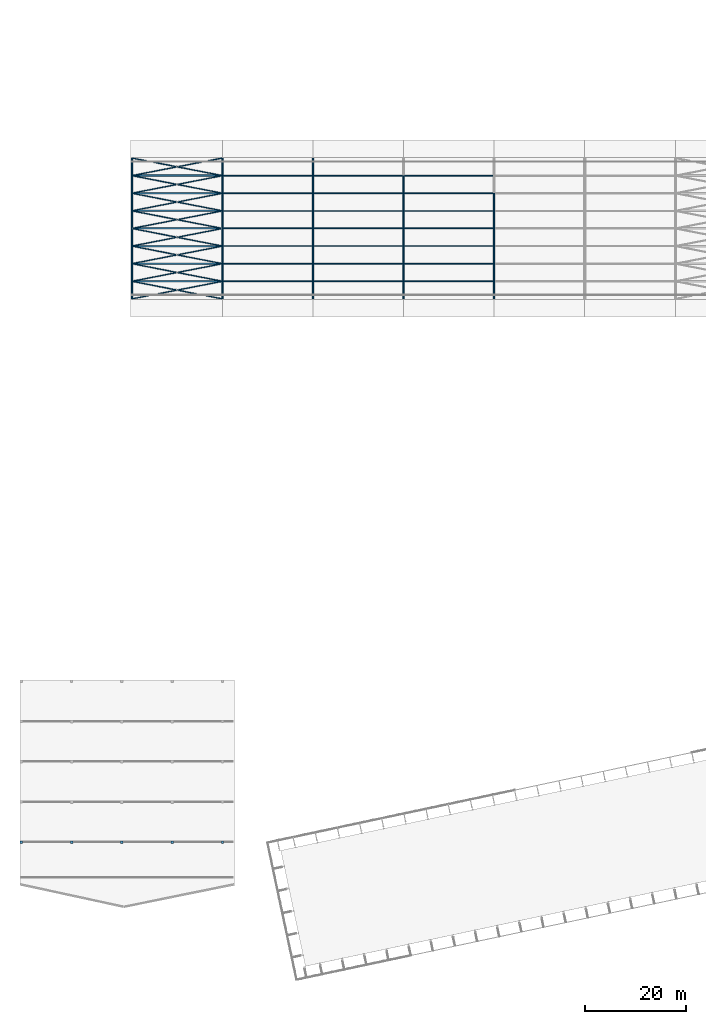
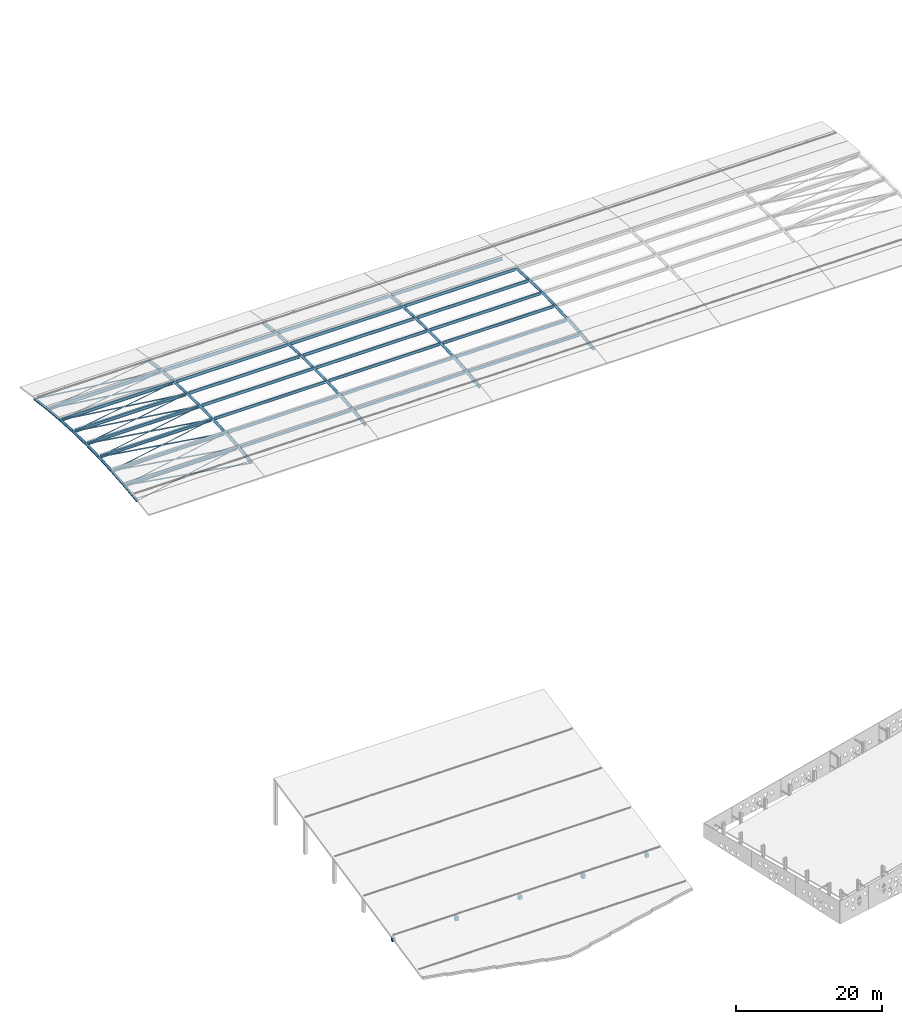
# One storey, part 9 of 41: 89 members, 5 columns.
"""IFC4 building model written with IfcOpenShell, lengths in metres."""

from ifc_helpers import new_model, si_unit, direction, frame, origin, origin_2d, place, context, subcontext, project, spatial, rectangle, hollow_circle, i_section, extrude, material, material_profile, profile_set, type_object, element, save


model = new_model("IFC4")

# Units and contexts
model_context = context("Model", 3, precision=1e-05, world=origin(), true_north=direction((0.0, 1.0)))
body_context = subcontext(model_context, "Body", "Model", "MODEL_VIEW")
ifc_project = project(units=[si_unit("LENGTHUNIT", "METRE"), si_unit("AREAUNIT", "SQUARE_METRE"), si_unit("VOLUMEUNIT", "CUBIC_METRE"), si_unit("PLANEANGLEUNIT", "RADIAN"), si_unit("MASSUNIT", "GRAM", prefix="KILO")], contexts=[model_context])

# Site, building, storey
site_placement = place(None, origin())
site = spatial("IfcSite", under=ifc_project, at=site_placement, CompositionType="ELEMENT")
building_placement = place(site_placement, origin())
building = spatial("IfcBuilding", under=site, at=building_placement, Name="Okhra Congress Centre", CompositionType="ELEMENT")
storey_placement = place(building_placement, frame((0.0, 0.0, 21.60009765625)))
storey = spatial("IfcBuildingStorey", under=building, at=storey_placement, Name="ROOF", CompositionType="ELEMENT", Elevation=21.60009765625)

# Columns
ifc_material_1 = material(Name="Concrete C35/45", Category="concrete")
ifc_material_profile_1 = material_profile(ifc_material_1, rectangle(XDim=0.449951171875, YDim=0.449951171875, at=origin_2d()), Name="RC 450x450")
ifc_profile_set_1 = profile_set([ifc_material_profile_1], Name="Concrete C35/45")
column_type_1 = type_object("IfcColumnType", Name="RC column 450x450 C35/45", PredefinedType="COLUMN", material=ifc_profile_set_1)
for number, where, z_axis, x_axis, name in (
    (1, (6.0, 52.0, 0.0), (0.0, 0.0, 1.0), (1.0, 0.0, 0.0), "RS.COL.ROOF.2"),
    (2, (46.0, 52.0, 0.0), (0.0, 0.0, 1.0), (1.0, 0.0, 0.0), "RS.COL.ROOF.26"),
):
    element("IfcColumn", number, at=place(storey_placement, frame(where, z_axis=z_axis, x_axis=x_axis)), inside=storey, type_object=column_type_1, Name=name, PredefinedType="COLUMN", context=body_context, shape_type="SweptSolid", body=[
        extrude(rectangle(XDim=0.449951171875, YDim=0.449951171875, at=origin_2d()), origin(), (0.0, 0.0, 1.0), 0.591552734375),
    ])
ifc_material_profile_2 = material_profile(ifc_material_1, rectangle(XDim=0.5, YDim=0.5, at=origin_2d()), Name="RC 500x500")
ifc_profile_set_2 = profile_set([ifc_material_profile_2], Name="Concrete C35/45")
column_type_2 = type_object("IfcColumnType", Name="RC column 500x500 C35/45", PredefinedType="COLUMN", material=ifc_profile_set_2)
for number, where, z_axis, x_axis, name in (
    (3, (16.0, 52.0, 0.0), (0.0, 0.0, 1.0), (1.0, 0.0, 0.0), "RS.COL.ROOF.8"),
    (4, (26.0, 52.0, 0.0), (0.0, 0.0, 1.0), (1.0, 0.0, 0.0), "RS.COL.ROOF.14"),
    (5, (36.0, 52.0, 0.0), (0.0, 0.0, 1.0), (1.0, 0.0, 0.0), "RS.COL.ROOF.20"),
):
    element("IfcColumn", number, at=place(storey_placement, frame(where, z_axis=z_axis, x_axis=x_axis)), inside=storey, type_object=column_type_2, Name=name, PredefinedType="COLUMN", context=body_context, shape_type="SweptSolid", body=[
        extrude(rectangle(XDim=0.5, YDim=0.5, at=origin_2d()), origin(), (0.0, 0.0, 1.0), 0.591552734375),
    ])

# Members
ifc_material_2 = material(Name="Steel S355J2H", Category="steel")
ifc_material_profile_3 = material_profile(ifc_material_2, hollow_circle(Radius=0.06982421875, WallThickness=0.00634765625, at=origin_2d()), Name="CHS 139.7x6.3")
ifc_profile_set_3 = profile_set([ifc_material_profile_3], Name="Steel S355J2H")
member_type_1 = type_object("IfcMemberType", Name="CHS 139.7x6.3", PredefinedType="BRACE", material=ifc_profile_set_3)
member_1_placement = place(storey_placement, frame((28.185546875, 160.0361328125, 0.204833984375), z_axis=(0.981335997403, 0.190809292648, 0.023905523203), x_axis=(-0.190863837306, 0.981616521667, 0.0)))
element("IfcMember", 6, at=member_1_placement, inside=storey, type_object=member_type_1, Name="EH.MEM.ROOF.XB1-09-1", PredefinedType="BRACE", context=body_context, shape_type="SweptSolid", body=[
    extrude(hollow_circle(Radius=0.06982421875, WallThickness=0.00634765625, at=origin_2d()), origin(), (0.0, 0.0, 1.0), 17.964111328125),
])
for number, where, z_axis, x_axis, name in (
    (7, (45.814453125, 160.0361328125, 0.204833984375), (-0.981337831942, 0.190800302671, 0.02390196853), (-0.190854828533, -0.981618273274, 0.0), "EH.MEM.ROOF.XB1-09-2a"),
    (8, (36.8359375, 161.781982421875, 0.423583984375), (-0.981337831942, 0.190800302671, 0.02390196853), (-0.190854828533, -0.981618273274, 0.0), "EH.MEM.ROOF.XB1-09-2b"),
):
    element("IfcMember", number, at=place(storey_placement, frame(where, z_axis=z_axis, x_axis=x_axis)), inside=storey, type_object=member_type_1, Name=name, PredefinedType="BRACE", context=body_context, shape_type="SweptSolid", body=[
        extrude(hollow_circle(Radius=0.06982421875, WallThickness=0.00634765625, at=origin_2d()), origin(), (0.0, 0.0, 1.0), 8.81494140625),
    ])
member_2_placement = place(storey_placement, frame((28.185546875, 163.5361328125, 0.64208984375), z_axis=(0.981474374154, 0.190836198387, 0.017017586922), x_axis=(-0.190863837306, 0.981616521667, 0.0)))
element("IfcMember", 9, at=member_2_placement, inside=storey, type_object=member_type_1, Name="EH.MEM.ROOF.XB1-10-1", PredefinedType="BRACE", context=body_context, shape_type="SweptSolid", body=[
    extrude(hollow_circle(Radius=0.06982421875, WallThickness=0.00634765625, at=origin_2d()), origin(), (0.0, 0.0, 1.0), 17.961669921875),
])
for number, where, z_axis, x_axis, name in (
    (10, (45.814453125, 163.5361328125, 0.64208984375), (-0.981474252507, 0.190837598801, 0.017008896163), (-0.190865209694, -0.981616254821, 0.0), "EH.MEM.ROOF.XB1-10-2a"),
    (11, (36.83544921875, 165.281982421875, 0.7978515625), (-0.981474252507, 0.190837598801, 0.017008896163), (-0.190865209694, -0.981616254821, 0.0), "EH.MEM.ROOF.XB1-10-2b"),
):
    element("IfcMember", number, at=place(storey_placement, frame(where, z_axis=z_axis, x_axis=x_axis)), inside=storey, type_object=member_type_1, Name=name, PredefinedType="BRACE", context=body_context, shape_type="SweptSolid", body=[
        extrude(hollow_circle(Radius=0.06982421875, WallThickness=0.00634765625, at=origin_2d()), origin(), (0.0, 0.0, 1.0), 8.813232421875),
    ])
member_3_placement = place(storey_placement, frame((28.185546875, 167.0361328125, 0.952880859375), z_axis=(0.981565640763, 0.19085394411, 0.010181595736), x_axis=(-0.190863837306, 0.981616521667, 0.0)))
element("IfcMember", 12, at=member_3_placement, inside=storey, type_object=member_type_1, Name="EH.MEM.ROOF.XB1-11-1", PredefinedType="BRACE", context=body_context, shape_type="SweptSolid", body=[
    extrude(hollow_circle(Radius=0.06982421875, WallThickness=0.00634765625, at=origin_2d()), origin(), (0.0, 0.0, 1.0), 17.9599609375),
])
for number, where, z_axis, x_axis, name in (
    (13, (45.814453125, 167.0361328125, 0.952880859375), (-0.981563213618, 0.190865670617, 0.010195756538), (-0.190875591963, -0.981614236038, 0.0), "EH.MEM.ROOF.XB1-11-2a"),
    (14, (36.8349609375, 168.781982421875, 1.046142578125), (-0.981563490516, 0.19086572446, 0.010168053546), (-0.190875591963, -0.981614236038, 0.0), "EH.MEM.ROOF.XB1-11-2b"),
):
    element("IfcMember", number, at=place(storey_placement, frame(where, z_axis=z_axis, x_axis=x_axis)), inside=storey, type_object=member_type_1, Name=name, PredefinedType="BRACE", context=body_context, shape_type="SweptSolid", body=[
        extrude(hollow_circle(Radius=0.06982421875, WallThickness=0.00634765625, at=origin_2d()), origin(), (0.0, 0.0, 1.0), 8.811767578125),
    ])
member_4_placement = place(storey_placement, frame((28.185546875, 170.5361328125, 1.138427734375), z_axis=(0.981610897995, 0.190862743849, 0.003384958919), x_axis=(-0.190863837306, 0.981616521667, 0.0)))
element("IfcMember", 15, at=member_4_placement, inside=storey, type_object=member_type_1, Name="EH.MEM.ROOF.XB1-12-1", PredefinedType="BRACE", context=body_context, shape_type="SweptSolid", body=[
    extrude(hollow_circle(Radius=0.06982421875, WallThickness=0.00634765625, at=origin_2d()), origin(), (0.0, 0.0, 1.0), 17.959228515625),
])
for number, where, z_axis, x_axis, name in (
    (16, (45.814453125, 170.5361328125, 1.138427734375), (-0.981612809395, 0.190852994358, 0.003380381143), (-0.190854084803, -0.981618417876, 0.0), "EH.MEM.ROOF.XB1-12-2a"),
    (17, (36.834716796875, 172.2822265625, 1.16943359375), (-0.981612809395, 0.190852994358, 0.003380381143), (-0.190854084803, -0.981618417876, 0.0), "EH.MEM.ROOF.XB1-12-2b"),
):
    element("IfcMember", number, at=place(storey_placement, frame(where, z_axis=z_axis, x_axis=x_axis)), inside=storey, type_object=member_type_1, Name=name, PredefinedType="BRACE", context=body_context, shape_type="SweptSolid", body=[
        extrude(hollow_circle(Radius=0.06982421875, WallThickness=0.00634765625, at=origin_2d()), origin(), (0.0, 0.0, 1.0), 8.811279296875),
    ])
member_5_placement = place(storey_placement, frame((28.185546875, 174.0361328125, 1.19921875), z_axis=(0.981610897995, 0.190862743849, -0.003384958919), x_axis=(-0.190863837306, 0.981616521667, 0.0)))
element("IfcMember", 18, at=member_5_placement, inside=storey, type_object=member_type_1, Name="EH.MEM.ROOF.XB1-13-1", PredefinedType="BRACE", context=body_context, shape_type="SweptSolid", body=[
    extrude(hollow_circle(Radius=0.06982421875, WallThickness=0.00634765625, at=origin_2d()), origin(), (0.0, 0.0, 1.0), 17.959228515625),
])
for number, where, z_axis, x_axis, name in (
    (19, (45.814453125, 174.0361328125, 1.19921875), (-0.981612809395, 0.190852994358, -0.003380381143), (-0.190854084803, -0.981618417876, 0.0), "EH.MEM.ROOF.XB1-13-2a"),
    (20, (36.834716796875, 175.7822265625, 1.168212890625), (-0.981612809395, 0.190852994358, -0.003380381143), (-0.190854084803, -0.981618417876, 0.0), "EH.MEM.ROOF.XB1-13-2b"),
):
    element("IfcMember", number, at=place(storey_placement, frame(where, z_axis=z_axis, x_axis=x_axis)), inside=storey, type_object=member_type_1, Name=name, PredefinedType="BRACE", context=body_context, shape_type="SweptSolid", body=[
        extrude(hollow_circle(Radius=0.06982421875, WallThickness=0.00634765625, at=origin_2d()), origin(), (0.0, 0.0, 1.0), 8.811279296875),
    ])
member_6_placement = place(storey_placement, frame((28.185546875, 177.5361328125, 1.1357421875), z_axis=(0.981565640763, 0.19085394411, -0.010181595736), x_axis=(-0.190863837306, 0.981616521667, 0.0)))
element("IfcMember", 21, at=member_6_placement, inside=storey, type_object=member_type_1, Name="EH.MEM.ROOF.XB1-14-1", PredefinedType="BRACE", context=body_context, shape_type="SweptSolid", body=[
    extrude(hollow_circle(Radius=0.06982421875, WallThickness=0.00634765625, at=origin_2d()), origin(), (0.0, 0.0, 1.0), 17.9599609375),
])
for number, where, z_axis, x_axis, name in (
    (22, (45.814453125, 177.5361328125, 1.1357421875), (-0.981563490516, 0.19086572446, -0.010168053546), (-0.190875591963, -0.981614236038, 0.0), "EH.MEM.ROOF.XB1-14-2a"),
    (23, (36.8349609375, 179.281982421875, 1.042724609375), (-0.981563213618, 0.190865670617, -0.010195756538), (-0.190875591963, -0.981614236038, 0.0), "EH.MEM.ROOF.XB1-14-2b"),
):
    element("IfcMember", number, at=place(storey_placement, frame(where, z_axis=z_axis, x_axis=x_axis)), inside=storey, type_object=member_type_1, Name=name, PredefinedType="BRACE", context=body_context, shape_type="SweptSolid", body=[
        extrude(hollow_circle(Radius=0.06982421875, WallThickness=0.00634765625, at=origin_2d()), origin(), (0.0, 0.0, 1.0), 8.811767578125),
    ])
member_7_placement = place(storey_placement, frame((28.185546875, 181.0361328125, 0.94775390625), z_axis=(0.981474374154, 0.190836198387, -0.017017586922), x_axis=(-0.190863837306, 0.981616521667, 0.0)))
element("IfcMember", 24, at=member_7_placement, inside=storey, type_object=member_type_1, Name="EH.MEM.ROOF.XB1-15-1", PredefinedType="BRACE", context=body_context, shape_type="SweptSolid", body=[
    extrude(hollow_circle(Radius=0.06982421875, WallThickness=0.00634765625, at=origin_2d()), origin(), (0.0, 0.0, 1.0), 17.961669921875),
])
for number, where, z_axis, x_axis, name in (
    (25, (45.814453125, 181.0361328125, 0.94775390625), (-0.981474252507, 0.190837598801, -0.017008896163), (-0.190865209694, -0.981616254821, 0.0), "EH.MEM.ROOF.XB1-15-2a"),
    (26, (36.83544921875, 182.781982421875, 0.7919921875), (-0.981474252507, 0.190837598801, -0.017008896163), (-0.190865209694, -0.981616254821, 0.0), "EH.MEM.ROOF.XB1-15-2b"),
):
    element("IfcMember", number, at=place(storey_placement, frame(where, z_axis=z_axis, x_axis=x_axis)), inside=storey, type_object=member_type_1, Name=name, PredefinedType="BRACE", context=body_context, shape_type="SweptSolid", body=[
        extrude(hollow_circle(Radius=0.06982421875, WallThickness=0.00634765625, at=origin_2d()), origin(), (0.0, 0.0, 1.0), 8.813232421875),
    ])
member_8_placement = place(storey_placement, frame((28.185546875, 184.5361328125, 0.63427734375), z_axis=(0.981335997403, 0.190809292648, -0.023905523203), x_axis=(-0.190863837306, 0.981616521667, 0.0)))
element("IfcMember", 27, at=member_8_placement, inside=storey, type_object=member_type_1, Name="EH.MEM.ROOF.XB1-16-1", PredefinedType="BRACE", context=body_context, shape_type="SweptSolid", body=[
    extrude(hollow_circle(Radius=0.06982421875, WallThickness=0.00634765625, at=origin_2d()), origin(), (0.0, 0.0, 1.0), 17.964111328125),
])
for number, where, z_axis, x_axis, name in (
    (28, (45.814453125, 184.5361328125, 0.63427734375), (-0.981337831942, 0.190800302671, -0.02390196853), (-0.190854828533, -0.981618273274, 0.0), "EH.MEM.ROOF.XB1-16-2a"),
    (29, (36.8359375, 186.281982421875, 0.41552734375), (-0.981337831942, 0.190800302671, -0.02390196853), (-0.190854828533, -0.981618273274, 0.0), "EH.MEM.ROOF.XB1-16-2b"),
):
    element("IfcMember", number, at=place(storey_placement, frame(where, z_axis=z_axis, x_axis=x_axis)), inside=storey, type_object=member_type_1, Name=name, PredefinedType="BRACE", context=body_context, shape_type="SweptSolid", body=[
        extrude(hollow_circle(Radius=0.06982421875, WallThickness=0.00634765625, at=origin_2d()), origin(), (0.0, 0.0, 1.0), 8.81494140625),
    ])
ifc_material_profile_4 = material_profile(ifc_material_2, hollow_circle(Radius=0.203125, WallThickness=0.02001953125, at=origin_2d()), Name="CHS 406.4x20.0")
ifc_profile_set_4 = profile_set([ifc_material_profile_4], Name="Steel S355J2H")
member_type_2 = type_object("IfcMemberType", Name="CHS 406.4x20.0", PredefinedType="CHORD", material=ifc_profile_set_4)
member_9_placement = place(storey_placement, frame((28.0, 160.0, 0.2001953125), z_axis=(0.0, 0.992235225695, 0.124375467395), x_axis=(-1.0, 0.0, 0.0)))
element("IfcMember", 30, at=member_9_placement, inside=storey, type_object=member_type_2, Name="EH.MEM.ROOF.T1-TOP-09", PredefinedType="CHORD", context=body_context, shape_type="SweptSolid", body=[
    extrude(hollow_circle(Radius=0.203125, WallThickness=0.02001953125, at=origin_2d()), origin(), (0.0, 0.0, 1.0), 3.52734375),
])
member_10_placement = place(storey_placement, frame((28.0, 163.5, 0.638916015625), z_axis=(0.0, 0.996050004601, 0.088794078256), x_axis=(-1.0, 0.0, 0.0)))
element("IfcMember", 31, at=member_10_placement, inside=storey, type_object=member_type_2, Name="EH.MEM.ROOF.T1-TOP-10", PredefinedType="CHORD", context=body_context, shape_type="SweptSolid", body=[
    extrude(hollow_circle(Radius=0.203125, WallThickness=0.02001953125, at=origin_2d()), origin(), (0.0, 0.0, 1.0), 3.513916015625),
])
member_11_placement = place(storey_placement, frame((28.0, 167.0, 0.950927734375), z_axis=(0.0, 0.998579273107, 0.053286352115), x_axis=(-1.0, 0.0, 0.0)))
element("IfcMember", 32, at=member_11_placement, inside=storey, type_object=member_type_2, Name="EH.MEM.ROOF.T1-TOP-11", PredefinedType="CHORD", context=body_context, shape_type="SweptSolid", body=[
    extrude(hollow_circle(Radius=0.203125, WallThickness=0.02001953125, at=origin_2d()), origin(), (0.0, 0.0, 1.0), 3.5048828125),
])
for number, where, z_axis, x_axis, name in (
    (33, (28.0, 170.5, 1.1376953125), (0.0, 0.999841841936, 0.017784575174), (-1.0, 0.0, 0.0), "EH.MEM.ROOF.T1-TOP-12"),
    (34, (28.0, 174.0, 1.199951171875), (0.0, 0.999841841936, -0.017784575174), (-1.0, 0.0, 0.0), "EH.MEM.ROOF.T1-TOP-13"),
):
    element("IfcMember", number, at=place(storey_placement, frame(where, z_axis=z_axis, x_axis=x_axis)), inside=storey, type_object=member_type_2, Name=name, PredefinedType="CHORD", context=body_context, shape_type="SweptSolid", body=[
        extrude(hollow_circle(Radius=0.203125, WallThickness=0.02001953125, at=origin_2d()), origin(), (0.0, 0.0, 1.0), 3.50048828125),
    ])
member_12_placement = place(storey_placement, frame((28.0, 177.5, 1.1376953125), z_axis=(0.0, 0.998579273107, -0.053286352115), x_axis=(-1.0, 0.0, 0.0)))
element("IfcMember", 35, at=member_12_placement, inside=storey, type_object=member_type_2, Name="EH.MEM.ROOF.T1-TOP-14", PredefinedType="CHORD", context=body_context, shape_type="SweptSolid", body=[
    extrude(hollow_circle(Radius=0.203125, WallThickness=0.02001953125, at=origin_2d()), origin(), (0.0, 0.0, 1.0), 3.5048828125),
])
member_13_placement = place(storey_placement, frame((28.0, 181.0, 0.950927734375), z_axis=(0.0, 0.996050004601, -0.088794078256), x_axis=(-1.0, 0.0, 0.0)))
element("IfcMember", 36, at=member_13_placement, inside=storey, type_object=member_type_2, Name="EH.MEM.ROOF.T1-TOP-15", PredefinedType="CHORD", context=body_context, shape_type="SweptSolid", body=[
    extrude(hollow_circle(Radius=0.203125, WallThickness=0.02001953125, at=origin_2d()), origin(), (0.0, 0.0, 1.0), 3.513916015625),
])
for number, where, z_axis, x_axis, name in (
    (37, (28.0, 184.5, 0.638916015625), (0.0, 0.992235225695, -0.124375467395), (-1.0, 0.0, 0.0), "EH.MEM.ROOF.T1-TOP-16"),
    (38, (46.0, 160.0, 0.2001953125), (0.0, 0.992235225695, 0.124375467395), (-1.0, 0.0, 0.0), "EH.MEM.ROOF.T2-TOP-09"),
):
    element("IfcMember", number, at=place(storey_placement, frame(where, z_axis=z_axis, x_axis=x_axis)), inside=storey, type_object=member_type_2, Name=name, PredefinedType="CHORD", context=body_context, shape_type="SweptSolid", body=[
        extrude(hollow_circle(Radius=0.203125, WallThickness=0.02001953125, at=origin_2d()), origin(), (0.0, 0.0, 1.0), 3.52734375),
    ])
member_14_placement = place(storey_placement, frame((46.0, 163.5, 0.638916015625), z_axis=(0.0, 0.996050004601, 0.088794078256), x_axis=(-1.0, 0.0, 0.0)))
element("IfcMember", 39, at=member_14_placement, inside=storey, type_object=member_type_2, Name="EH.MEM.ROOF.T2-TOP-10", PredefinedType="CHORD", context=body_context, shape_type="SweptSolid", body=[
    extrude(hollow_circle(Radius=0.203125, WallThickness=0.02001953125, at=origin_2d()), origin(), (0.0, 0.0, 1.0), 3.513916015625),
])
member_15_placement = place(storey_placement, frame((46.0, 167.0, 0.950927734375), z_axis=(0.0, 0.998579273107, 0.053286352115), x_axis=(-1.0, 0.0, 0.0)))
element("IfcMember", 40, at=member_15_placement, inside=storey, type_object=member_type_2, Name="EH.MEM.ROOF.T2-TOP-11", PredefinedType="CHORD", context=body_context, shape_type="SweptSolid", body=[
    extrude(hollow_circle(Radius=0.203125, WallThickness=0.02001953125, at=origin_2d()), origin(), (0.0, 0.0, 1.0), 3.5048828125),
])
for number, where, z_axis, x_axis, name in (
    (41, (46.0, 170.5, 1.1376953125), (0.0, 0.999841841936, 0.017784575174), (-1.0, 0.0, 0.0), "EH.MEM.ROOF.T2-TOP-12"),
    (42, (46.0, 174.0, 1.199951171875), (0.0, 0.999841841936, -0.017784575174), (-1.0, 0.0, 0.0), "EH.MEM.ROOF.T2-TOP-13"),
):
    element("IfcMember", number, at=place(storey_placement, frame(where, z_axis=z_axis, x_axis=x_axis)), inside=storey, type_object=member_type_2, Name=name, PredefinedType="CHORD", context=body_context, shape_type="SweptSolid", body=[
        extrude(hollow_circle(Radius=0.203125, WallThickness=0.02001953125, at=origin_2d()), origin(), (0.0, 0.0, 1.0), 3.50048828125),
    ])
member_16_placement = place(storey_placement, frame((46.0, 177.5, 1.1376953125), z_axis=(0.0, 0.998579273107, -0.053286352115), x_axis=(-1.0, 0.0, 0.0)))
element("IfcMember", 43, at=member_16_placement, inside=storey, type_object=member_type_2, Name="EH.MEM.ROOF.T2-TOP-14", PredefinedType="CHORD", context=body_context, shape_type="SweptSolid", body=[
    extrude(hollow_circle(Radius=0.203125, WallThickness=0.02001953125, at=origin_2d()), origin(), (0.0, 0.0, 1.0), 3.5048828125),
])
member_17_placement = place(storey_placement, frame((46.0, 181.0, 0.950927734375), z_axis=(0.0, 0.996050004601, -0.088794078256), x_axis=(-1.0, 0.0, 0.0)))
element("IfcMember", 44, at=member_17_placement, inside=storey, type_object=member_type_2, Name="EH.MEM.ROOF.T2-TOP-15", PredefinedType="CHORD", context=body_context, shape_type="SweptSolid", body=[
    extrude(hollow_circle(Radius=0.203125, WallThickness=0.02001953125, at=origin_2d()), origin(), (0.0, 0.0, 1.0), 3.513916015625),
])
for number, where, z_axis, x_axis, name in (
    (45, (46.0, 184.5, 0.638916015625), (0.0, 0.992235225695, -0.124375467395), (-1.0, 0.0, 0.0), "EH.MEM.ROOF.T2-TOP-16"),
    (46, (64.0, 160.0, 0.2001953125), (0.0, 0.992235225695, 0.124375467395), (-1.0, 0.0, 0.0), "EH.MEM.ROOF.T3-TOP-09"),
):
    element("IfcMember", number, at=place(storey_placement, frame(where, z_axis=z_axis, x_axis=x_axis)), inside=storey, type_object=member_type_2, Name=name, PredefinedType="CHORD", context=body_context, shape_type="SweptSolid", body=[
        extrude(hollow_circle(Radius=0.203125, WallThickness=0.02001953125, at=origin_2d()), origin(), (0.0, 0.0, 1.0), 3.52734375),
    ])
member_18_placement = place(storey_placement, frame((64.0, 163.5, 0.638916015625), z_axis=(0.0, 0.996050004601, 0.088794078256), x_axis=(-1.0, 0.0, 0.0)))
element("IfcMember", 47, at=member_18_placement, inside=storey, type_object=member_type_2, Name="EH.MEM.ROOF.T3-TOP-10", PredefinedType="CHORD", context=body_context, shape_type="SweptSolid", body=[
    extrude(hollow_circle(Radius=0.203125, WallThickness=0.02001953125, at=origin_2d()), origin(), (0.0, 0.0, 1.0), 3.513916015625),
])
member_19_placement = place(storey_placement, frame((64.0, 167.0, 0.950927734375), z_axis=(0.0, 0.998579273107, 0.053286352115), x_axis=(-1.0, 0.0, 0.0)))
element("IfcMember", 48, at=member_19_placement, inside=storey, type_object=member_type_2, Name="EH.MEM.ROOF.T3-TOP-11", PredefinedType="CHORD", context=body_context, shape_type="SweptSolid", body=[
    extrude(hollow_circle(Radius=0.203125, WallThickness=0.02001953125, at=origin_2d()), origin(), (0.0, 0.0, 1.0), 3.5048828125),
])
for number, where, z_axis, x_axis, name in (
    (49, (64.0, 170.5, 1.1376953125), (0.0, 0.999841841936, 0.017784575174), (-1.0, 0.0, 0.0), "EH.MEM.ROOF.T3-TOP-12"),
    (50, (64.0, 174.0, 1.199951171875), (0.0, 0.999841841936, -0.017784575174), (-1.0, 0.0, 0.0), "EH.MEM.ROOF.T3-TOP-13"),
):
    element("IfcMember", number, at=place(storey_placement, frame(where, z_axis=z_axis, x_axis=x_axis)), inside=storey, type_object=member_type_2, Name=name, PredefinedType="CHORD", context=body_context, shape_type="SweptSolid", body=[
        extrude(hollow_circle(Radius=0.203125, WallThickness=0.02001953125, at=origin_2d()), origin(), (0.0, 0.0, 1.0), 3.50048828125),
    ])
member_20_placement = place(storey_placement, frame((64.0, 177.5, 1.1376953125), z_axis=(0.0, 0.998579273107, -0.053286352115), x_axis=(-1.0, 0.0, 0.0)))
element("IfcMember", 51, at=member_20_placement, inside=storey, type_object=member_type_2, Name="EH.MEM.ROOF.T3-TOP-14", PredefinedType="CHORD", context=body_context, shape_type="SweptSolid", body=[
    extrude(hollow_circle(Radius=0.203125, WallThickness=0.02001953125, at=origin_2d()), origin(), (0.0, 0.0, 1.0), 3.5048828125),
])
member_21_placement = place(storey_placement, frame((64.0, 181.0, 0.950927734375), z_axis=(0.0, 0.996050004601, -0.088794078256), x_axis=(-1.0, 0.0, 0.0)))
element("IfcMember", 52, at=member_21_placement, inside=storey, type_object=member_type_2, Name="EH.MEM.ROOF.T3-TOP-15", PredefinedType="CHORD", context=body_context, shape_type="SweptSolid", body=[
    extrude(hollow_circle(Radius=0.203125, WallThickness=0.02001953125, at=origin_2d()), origin(), (0.0, 0.0, 1.0), 3.513916015625),
])
for number, where, z_axis, x_axis, name in (
    (53, (64.0, 184.5, 0.638916015625), (0.0, 0.992235225695, -0.124375467395), (-1.0, 0.0, 0.0), "EH.MEM.ROOF.T3-TOP-16"),
    (54, (82.0, 160.0, 0.2001953125), (0.0, 0.992235225695, 0.124375467395), (-1.0, 0.0, 0.0), "EH.MEM.ROOF.T4-TOP-09"),
):
    element("IfcMember", number, at=place(storey_placement, frame(where, z_axis=z_axis, x_axis=x_axis)), inside=storey, type_object=member_type_2, Name=name, PredefinedType="CHORD", context=body_context, shape_type="SweptSolid", body=[
        extrude(hollow_circle(Radius=0.203125, WallThickness=0.02001953125, at=origin_2d()), origin(), (0.0, 0.0, 1.0), 3.52734375),
    ])
member_22_placement = place(storey_placement, frame((82.0, 163.5, 0.638916015625), z_axis=(0.0, 0.996050004601, 0.088794078256), x_axis=(-1.0, 0.0, 0.0)))
element("IfcMember", 55, at=member_22_placement, inside=storey, type_object=member_type_2, Name="EH.MEM.ROOF.T4-TOP-10", PredefinedType="CHORD", context=body_context, shape_type="SweptSolid", body=[
    extrude(hollow_circle(Radius=0.203125, WallThickness=0.02001953125, at=origin_2d()), origin(), (0.0, 0.0, 1.0), 3.513916015625),
])
member_23_placement = place(storey_placement, frame((82.0, 167.0, 0.950927734375), z_axis=(0.0, 0.998579273107, 0.053286352115), x_axis=(-1.0, 0.0, 0.0)))
element("IfcMember", 56, at=member_23_placement, inside=storey, type_object=member_type_2, Name="EH.MEM.ROOF.T4-TOP-11", PredefinedType="CHORD", context=body_context, shape_type="SweptSolid", body=[
    extrude(hollow_circle(Radius=0.203125, WallThickness=0.02001953125, at=origin_2d()), origin(), (0.0, 0.0, 1.0), 3.5048828125),
])
for number, where, z_axis, x_axis, name in (
    (57, (82.0, 170.5, 1.1376953125), (0.0, 0.999841841936, 0.017784575174), (-1.0, 0.0, 0.0), "EH.MEM.ROOF.T4-TOP-12"),
    (58, (82.0, 174.0, 1.199951171875), (0.0, 0.999841841936, -0.017784575174), (-1.0, 0.0, 0.0), "EH.MEM.ROOF.T4-TOP-13"),
):
    element("IfcMember", number, at=place(storey_placement, frame(where, z_axis=z_axis, x_axis=x_axis)), inside=storey, type_object=member_type_2, Name=name, PredefinedType="CHORD", context=body_context, shape_type="SweptSolid", body=[
        extrude(hollow_circle(Radius=0.203125, WallThickness=0.02001953125, at=origin_2d()), origin(), (0.0, 0.0, 1.0), 3.50048828125),
    ])
member_24_placement = place(storey_placement, frame((82.0, 177.5, 1.1376953125), z_axis=(0.0, 0.998579273107, -0.053286352115), x_axis=(-1.0, 0.0, 0.0)))
element("IfcMember", 59, at=member_24_placement, inside=storey, type_object=member_type_2, Name="EH.MEM.ROOF.T4-TOP-14", PredefinedType="CHORD", context=body_context, shape_type="SweptSolid", body=[
    extrude(hollow_circle(Radius=0.203125, WallThickness=0.02001953125, at=origin_2d()), origin(), (0.0, 0.0, 1.0), 3.5048828125),
])
member_25_placement = place(storey_placement, frame((82.0, 181.0, 0.950927734375), z_axis=(0.0, 0.996050004601, -0.088794078256), x_axis=(-1.0, 0.0, 0.0)))
element("IfcMember", 60, at=member_25_placement, inside=storey, type_object=member_type_2, Name="EH.MEM.ROOF.T4-TOP-15", PredefinedType="CHORD", context=body_context, shape_type="SweptSolid", body=[
    extrude(hollow_circle(Radius=0.203125, WallThickness=0.02001953125, at=origin_2d()), origin(), (0.0, 0.0, 1.0), 3.513916015625),
])
member_26_placement = place(storey_placement, frame((100.0, 160.0, 0.2001953125), z_axis=(0.0, 0.992235225695, 0.124375467395), x_axis=(-1.0, 0.0, 0.0)))
element("IfcMember", 61, at=member_26_placement, inside=storey, type_object=member_type_2, Name="EH.MEM.ROOF.T5-TOP-09", PredefinedType="CHORD", context=body_context, shape_type="SweptSolid", body=[
    extrude(hollow_circle(Radius=0.203125, WallThickness=0.02001953125, at=origin_2d()), origin(), (0.0, 0.0, 1.0), 3.52734375),
])
member_27_placement = place(storey_placement, frame((100.0, 163.5, 0.638916015625), z_axis=(0.0, 0.996050004601, 0.088794078256), x_axis=(-1.0, 0.0, 0.0)))
element("IfcMember", 62, at=member_27_placement, inside=storey, type_object=member_type_2, Name="EH.MEM.ROOF.T5-TOP-10", PredefinedType="CHORD", context=body_context, shape_type="SweptSolid", body=[
    extrude(hollow_circle(Radius=0.203125, WallThickness=0.02001953125, at=origin_2d()), origin(), (0.0, 0.0, 1.0), 3.513916015625),
])
member_28_placement = place(storey_placement, frame((100.0, 167.0, 0.950927734375), z_axis=(0.0, 0.998579273107, 0.053286352115), x_axis=(-1.0, 0.0, 0.0)))
element("IfcMember", 63, at=member_28_placement, inside=storey, type_object=member_type_2, Name="EH.MEM.ROOF.T5-TOP-11", PredefinedType="CHORD", context=body_context, shape_type="SweptSolid", body=[
    extrude(hollow_circle(Radius=0.203125, WallThickness=0.02001953125, at=origin_2d()), origin(), (0.0, 0.0, 1.0), 3.5048828125),
])
for number, where, z_axis, x_axis, name in (
    (64, (100.0, 170.5, 1.1376953125), (0.0, 0.999841841936, 0.017784575174), (-1.0, 0.0, 0.0), "EH.MEM.ROOF.T5-TOP-12"),
    (65, (100.0, 174.0, 1.199951171875), (0.0, 0.999841841936, -0.017784575174), (-1.0, 0.0, 0.0), "EH.MEM.ROOF.T5-TOP-13"),
):
    element("IfcMember", number, at=place(storey_placement, frame(where, z_axis=z_axis, x_axis=x_axis)), inside=storey, type_object=member_type_2, Name=name, PredefinedType="CHORD", context=body_context, shape_type="SweptSolid", body=[
        extrude(hollow_circle(Radius=0.203125, WallThickness=0.02001953125, at=origin_2d()), origin(), (0.0, 0.0, 1.0), 3.50048828125),
    ])
member_29_placement = place(storey_placement, frame((100.0, 177.5, 1.1376953125), z_axis=(0.0, 0.998579273107, -0.053286352115), x_axis=(-1.0, 0.0, 0.0)))
element("IfcMember", 66, at=member_29_placement, inside=storey, type_object=member_type_2, Name="EH.MEM.ROOF.T5-TOP-14", PredefinedType="CHORD", context=body_context, shape_type="SweptSolid", body=[
    extrude(hollow_circle(Radius=0.203125, WallThickness=0.02001953125, at=origin_2d()), origin(), (0.0, 0.0, 1.0), 3.5048828125),
])
ifc_material_3 = material(Name="Steel S355J2", Category="steel")
ifc_material_profile_5 = material_profile(ifc_material_3, i_section(OverallWidth=0.300048828125, OverallDepth=0.5, WebThickness=0.014404296875, FlangeThickness=0.028076171875, at=origin_2d()), Name="HE 500 B")
ifc_profile_set_5 = profile_set([ifc_material_profile_5], Name="Steel S355J2")
member_type_3 = type_object("IfcMemberType", Name="HE 500 B", PredefinedType="PURLIN", material=ifc_profile_set_5)
for number, where, z_axis, x_axis, name in (
    (67, (28.203125, 163.5, 0.638916015625), (1.0, 0.0, 0.0), (0.0, 0.994301901121, 0.10660079468), "EH.MEM.ROOF.PU1-10"),
    (68, (28.203125, 167.0, 0.950927734375), (1.0, 0.0, 0.0), (0.0, 0.99747154049, 0.071067052226), "EH.MEM.ROOF.PU1-11"),
    (69, (28.203125, 170.5, 1.1376953125), (1.0, 0.0, 0.0), (0.0, 0.999368486378, 0.035533483284), "EH.MEM.ROOF.PU1-12"),
    (70, (28.203125, 174.0, 1.199951171875), (1.0, 0.0, 0.0), (0.0, 1.0, 0.0), "EH.MEM.ROOF.PU1-13"),
    (71, (28.203125, 177.5, 1.1376953125), (1.0, 0.0, 0.0), (0.0, 0.999368486378, -0.035533483284), "EH.MEM.ROOF.PU1-14"),
    (72, (28.203125, 181.0, 0.950927734375), (1.0, 0.0, 0.0), (0.0, 0.99747154049, -0.071067052226), "EH.MEM.ROOF.PU1-15"),
    (73, (28.203125, 184.5, 0.638916015625), (1.0, 0.0, 0.0), (0.0, 0.994301901121, -0.10660079468), "EH.MEM.ROOF.PU1-16"),
):
    element("IfcMember", number, at=place(storey_placement, frame(where, z_axis=z_axis, x_axis=x_axis)), inside=storey, type_object=member_type_3, Name=name, PredefinedType="PURLIN", context=body_context, shape_type="SweptSolid", body=[
        extrude(i_section(OverallWidth=0.300048828125, OverallDepth=0.5, WebThickness=0.014404296875, FlangeThickness=0.028076171875, at=origin_2d()), origin(), (0.0, 0.0, 1.0), 17.59375),
    ])
ifc_material_profile_6 = material_profile(ifc_material_3, i_section(OverallWidth=0.199951171875, OverallDepth=0.5, WebThickness=0.01025390625, FlangeThickness=0.01611328125, at=origin_2d()), Name="IPE 500")
ifc_profile_set_6 = profile_set([ifc_material_profile_6], Name="Steel S355J2")
member_type_4 = type_object("IfcMemberType", Name="IPE 500", PredefinedType="PURLIN", material=ifc_profile_set_6)
for number, where, z_axis, x_axis, name in (
    (74, (46.203125, 163.5, 0.638916015625), (1.0, 0.0, 0.0), (0.0, 0.994301901121, 0.10660079468), "EH.MEM.ROOF.PU2-10"),
    (75, (46.203125, 167.0, 0.950927734375), (1.0, 0.0, 0.0), (0.0, 0.99747154049, 0.071067052226), "EH.MEM.ROOF.PU2-11"),
    (76, (46.203125, 170.5, 1.1376953125), (1.0, 0.0, 0.0), (0.0, 0.999368486378, 0.035533483284), "EH.MEM.ROOF.PU2-12"),
    (77, (46.203125, 174.0, 1.199951171875), (1.0, 0.0, 0.0), (0.0, 1.0, 0.0), "EH.MEM.ROOF.PU2-13"),
    (78, (46.203125, 177.5, 1.1376953125), (1.0, 0.0, 0.0), (0.0, 0.999368486378, -0.035533483284), "EH.MEM.ROOF.PU2-14"),
    (79, (46.203125, 181.0, 0.950927734375), (1.0, 0.0, 0.0), (0.0, 0.99747154049, -0.071067052226), "EH.MEM.ROOF.PU2-15"),
    (80, (46.203125, 184.5, 0.638916015625), (1.0, 0.0, 0.0), (0.0, 0.994301901121, -0.10660079468), "EH.MEM.ROOF.PU2-16"),
    (81, (64.203125, 163.5, 0.638916015625), (1.0, 0.0, 0.0), (0.0, 0.994301901121, 0.10660079468), "EH.MEM.ROOF.PU3-10"),
    (82, (64.203125, 167.0, 0.950927734375), (1.0, 0.0, 0.0), (0.0, 0.99747154049, 0.071067052226), "EH.MEM.ROOF.PU3-11"),
    (83, (64.203125, 170.5, 1.1376953125), (1.0, 0.0, 0.0), (0.0, 0.999368486378, 0.035533483284), "EH.MEM.ROOF.PU3-12"),
    (84, (64.203125, 174.0, 1.199951171875), (1.0, 0.0, 0.0), (0.0, 1.0, 0.0), "EH.MEM.ROOF.PU3-13"),
    (85, (64.203125, 177.5, 1.1376953125), (1.0, 0.0, 0.0), (0.0, 0.999368486378, -0.035533483284), "EH.MEM.ROOF.PU3-14"),
    (86, (64.203125, 181.0, 0.950927734375), (1.0, 0.0, 0.0), (0.0, 0.99747154049, -0.071067052226), "EH.MEM.ROOF.PU3-15"),
    (87, (64.203125, 184.5, 0.638916015625), (1.0, 0.0, 0.0), (0.0, 0.994301901121, -0.10660079468), "EH.MEM.ROOF.PU3-16"),
    (88, (82.203125, 163.5, 0.638916015625), (1.0, 0.0, 0.0), (0.0, 0.994301901121, 0.10660079468), "EH.MEM.ROOF.PU4-10"),
    (89, (82.203125, 167.0, 0.950927734375), (1.0, 0.0, 0.0), (0.0, 0.99747154049, 0.071067052226), "EH.MEM.ROOF.PU4-11"),
    (90, (82.203125, 170.5, 1.1376953125), (1.0, 0.0, 0.0), (0.0, 0.999368486378, 0.035533483284), "EH.MEM.ROOF.PU4-12"),
    (91, (82.203125, 174.0, 1.199951171875), (1.0, 0.0, 0.0), (0.0, 1.0, 0.0), "EH.MEM.ROOF.PU4-13"),
    (92, (82.203125, 177.5, 1.1376953125), (1.0, 0.0, 0.0), (0.0, 0.999368486378, -0.035533483284), "EH.MEM.ROOF.PU4-14"),
    (93, (82.203125, 181.0, 0.950927734375), (1.0, 0.0, 0.0), (0.0, 0.99747154049, -0.071067052226), "EH.MEM.ROOF.PU4-15"),
    (94, (82.203125, 184.5, 0.638916015625), (1.0, 0.0, 0.0), (0.0, 0.994301901121, -0.10660079468), "EH.MEM.ROOF.PU4-16"),
):
    element("IfcMember", number, at=place(storey_placement, frame(where, z_axis=z_axis, x_axis=x_axis)), inside=storey, type_object=member_type_4, Name=name, PredefinedType="PURLIN", context=body_context, shape_type="SweptSolid", body=[
        extrude(i_section(OverallWidth=0.199951171875, OverallDepth=0.5, WebThickness=0.01025390625, FlangeThickness=0.01611328125, at=origin_2d()), origin(), (0.0, 0.0, 1.0), 17.59375),
    ])

save(model, "model.ifc")
